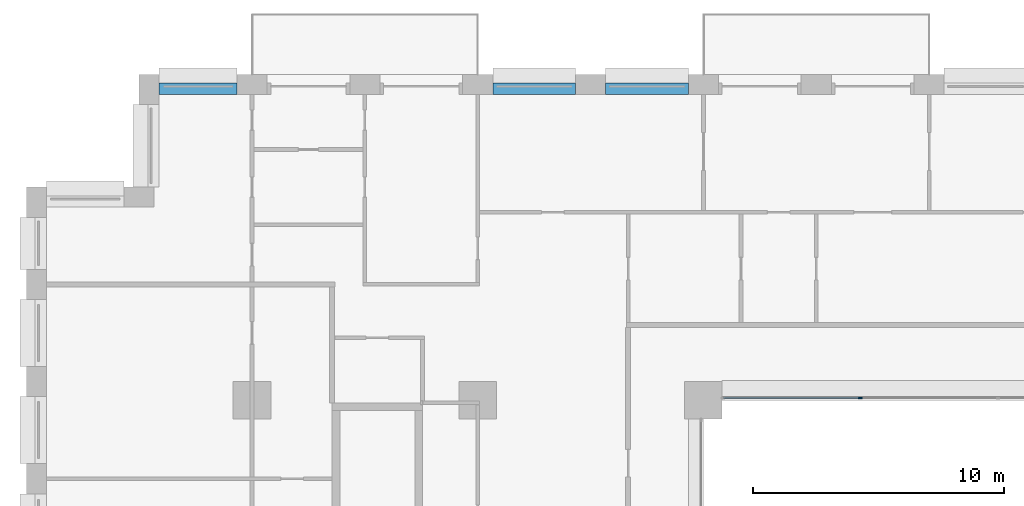
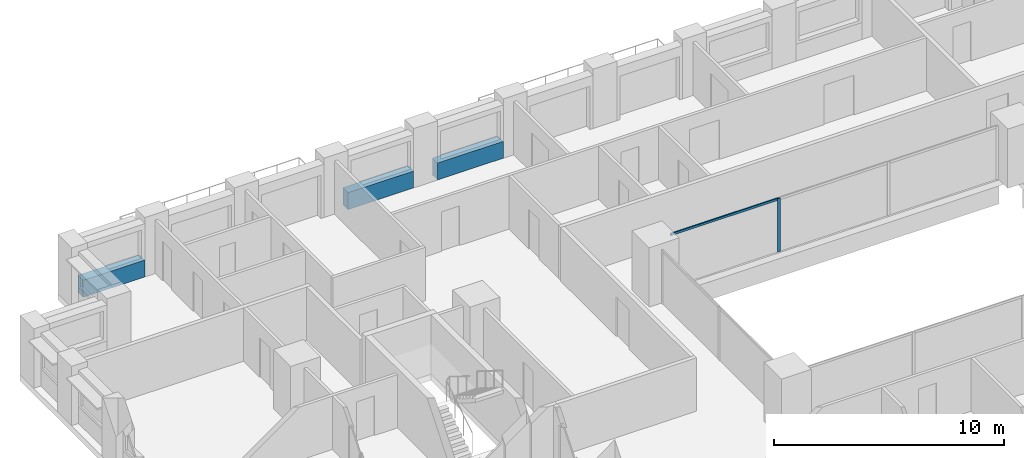
# One storey, part 6 of 20: 3 beams, 2 members, 1 element without a shape of its own.
"""IFC4 building model written with IfcOpenShell, lengths in metres."""

from ifc_helpers import new_model, si_unit, direction, frame, origin, origin_2d, place, context, subcontext, project, spatial, rectangle, extrude, material, layer, layer_set, material_profile, profile_set, type_object, element, aggregate, save


model = new_model("IFC4")

# Units and contexts
model_context = context("Model", 3, precision=1e-05, world=origin(), true_north=direction((0.0, 1.0)))
body_context = subcontext(model_context, "Body", "Model", "MODEL_VIEW")
ifc_project = project(units=[si_unit("LENGTHUNIT", "METRE"), si_unit("AREAUNIT", "SQUARE_METRE"), si_unit("VOLUMEUNIT", "CUBIC_METRE"), si_unit("PLANEANGLEUNIT", "RADIAN"), si_unit("MASSUNIT", "GRAM", prefix="KILO")], contexts=[model_context])

# Site, building, storey
site_placement = place(None, origin())
site = spatial("IfcSite", under=ifc_project, at=site_placement, CompositionType="ELEMENT")
building_placement = place(site_placement, origin())
building = spatial("IfcBuilding", under=site, at=building_placement, Name="Brigalow Station Residences", CompositionType="ELEMENT")
storey_placement = place(building_placement, frame((0.0, 0.0, 66.75)))
storey = spatial("IfcBuildingStorey", under=building, at=storey_placement, Name="L19", CompositionType="ELEMENT", Elevation=66.75)

# Curtain wall, members
ifc_material_1 = material(Name="Aluminium", Category="aluminium")
ifc_layer = layer(ifc_material_1, 0.14990234375)
ifc_layer_set = layer_set([ifc_layer], Name="ATRIUM FIRE-RATED GLAZING CURTAIN WALL")
curtain_wall_type = type_object("IfcCurtainWallType", Name="ATRIUM FIRE-RATED GLAZING CURTAIN WALL", PredefinedType="NOTDEFINED", material=ifc_layer_set)
curtain_wall_placement = place(storey_placement, origin())
curtain_wall = element("IfcCurtainWall", 1, at=curtain_wall_placement, inside=storey, type_object=curtain_wall_type, Name="L19/cw/atrium-N", PredefinedType="NOTDEFINED")
ifc_material_2 = material(Name="Aluminium", Category="aluminium")
ifc_material_profile_1 = material_profile(ifc_material_2, rectangle(XDim=0.06005859375, YDim=0.14990234375, at=origin_2d()), Name="ATRIUM FIRE-RATED GLAZING MULLION 60x150")
ifc_profile_set_1 = profile_set([ifc_material_profile_1], Name="Aluminium")
member_type_1 = type_object("IfcMemberType", Name="ATRIUM FIRE-RATED GLAZING MULLION 60x150", PredefinedType="MULLION", material=ifc_profile_set_1)
member_1_placement = place(storey_placement, frame((33.25, 35.60009765625, 0.0), z_axis=(0.0, 0.0, 1.0), x_axis=(0.0, -1.0, 0.0)))
member_1 = element("IfcMember", 2, at=member_1_placement, type_object=member_type_1, Name="L19/cw/atrium-N/M02", PredefinedType="MULLION", context=body_context, shape_type="SweptSolid", body=[
    extrude(rectangle(XDim=0.06005859375, YDim=0.14990234375, at=origin_2d()), origin(), (0.0, 0.0, 1.0), 2.830078125),
])
ifc_material_3 = material(Name="Aluminium", Category="aluminium")
ifc_material_profile_2 = material_profile(ifc_material_3, rectangle(XDim=0.06005859375, YDim=0.1201171875, at=origin_2d()), Name="ATRIUM FIRE-RATED GLAZING TRANSOM 60x120")
ifc_profile_set_2 = profile_set([ifc_material_profile_2], Name="Aluminium")
member_type_2 = type_object("IfcMemberType", Name="ATRIUM FIRE-RATED GLAZING TRANSOM 60x120", PredefinedType="USERDEFINED", material=ifc_profile_set_2)
member_2_placement = place(storey_placement, frame((33.219970703125, 35.60009765625, 2.800048828125), z_axis=(-1.0, 0.0, 0.0), x_axis=(0.0, -1.0, 0.0)))
member_2 = element("IfcMember", 3, at=member_2_placement, type_object=member_type_2, Name="L19/cw/atrium-N/T02-00", ObjectType="TRANSOM", PredefinedType="USERDEFINED", context=body_context, shape_type="SweptSolid", body=[
    extrude(rectangle(XDim=0.06005859375, YDim=0.1201171875, at=origin_2d()), origin(), (0.0, 0.0, 1.0), 5.409912109375),
])
aggregate(curtain_wall, [member_1, member_2])

# Beams
ifc_material_4 = material(Name="Concrete C65", Category="concrete")
ifc_material_profile_3 = material_profile(ifc_material_4, rectangle(XDim=0.449951171875, YDim=0.89990234375, at=origin_2d()), Name="RC450x900")
ifc_profile_set_3 = profile_set([ifc_material_profile_3], Name="Concrete C65")
beam_type = type_object("IfcBeamType", Name="SPANDREL BEAM 450x900 C65", PredefinedType="SPANDREL", material=ifc_profile_set_3)
for number, where, z_axis, x_axis, name in (
    (4, (26.39990234375, 47.925048828125, 0.449951171875), (-1.0, 0.0, 0.0), (0.0, -1.0, 0.0), "L19/spandrel/W-L19-35"),
    (5, (21.89990234375, 47.925048828125, 0.449951171875), (-1.0, 0.0, 0.0), (0.0, -1.0, 0.0), "L19/spandrel/W-L19-36"),
):
    element("IfcBeam", number, at=place(storey_placement, frame(where, z_axis=z_axis, x_axis=x_axis)), inside=storey, type_object=beam_type, Name=name, PredefinedType="SPANDREL", context=body_context, shape_type="SweptSolid", body=[
        extrude(rectangle(XDim=0.449951171875, YDim=0.89990234375, at=origin_2d()), origin(), (0.0, 0.0, 1.0), 3.2998046875),
    ])
beam_placement = place(storey_placement, frame((8.39990234375, 47.925048828125, 0.449951171875), z_axis=(-1.0, 0.0, 0.0), x_axis=(0.0, -1.0, 0.0)))
element("IfcBeam", 6, at=beam_placement, inside=storey, type_object=beam_type, Name="L19/spandrel/W-L19-39", PredefinedType="SPANDREL", context=body_context, shape_type="SweptSolid", body=[
    extrude(rectangle(XDim=0.449951171875, YDim=0.89990234375, at=origin_2d()), origin(), (0.0, 0.0, 1.0), 3.099853515625),
])

save(model, "model.ifc")
